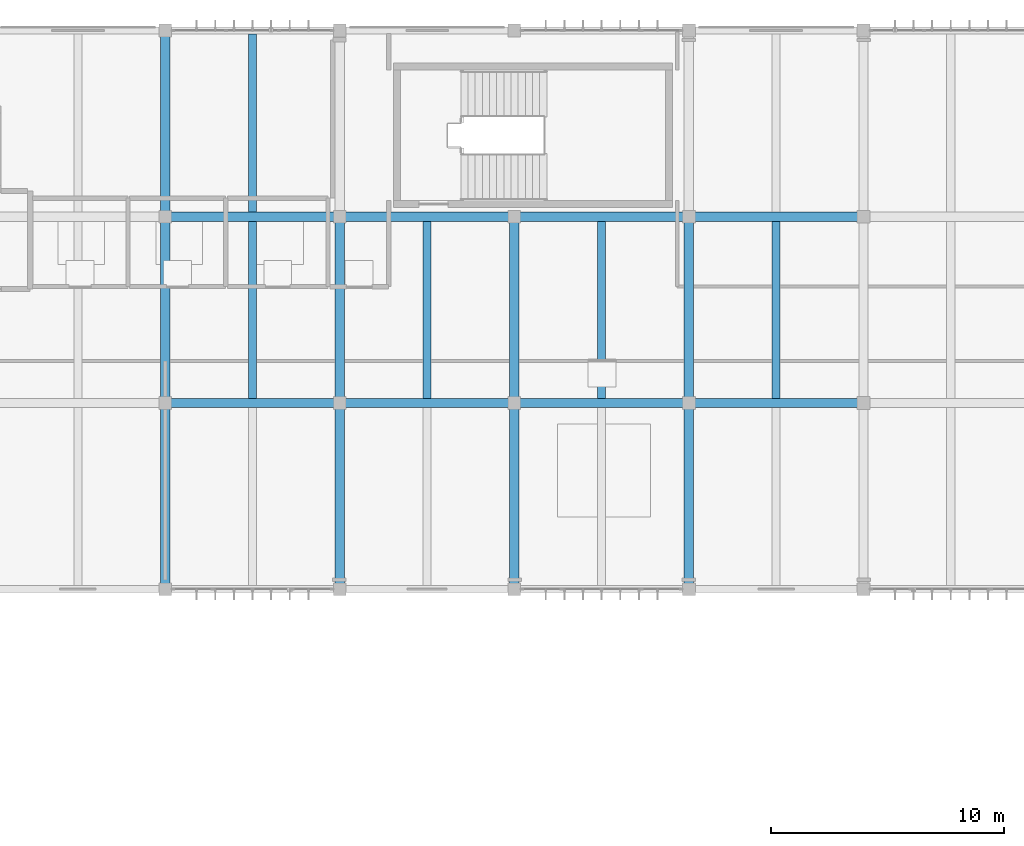
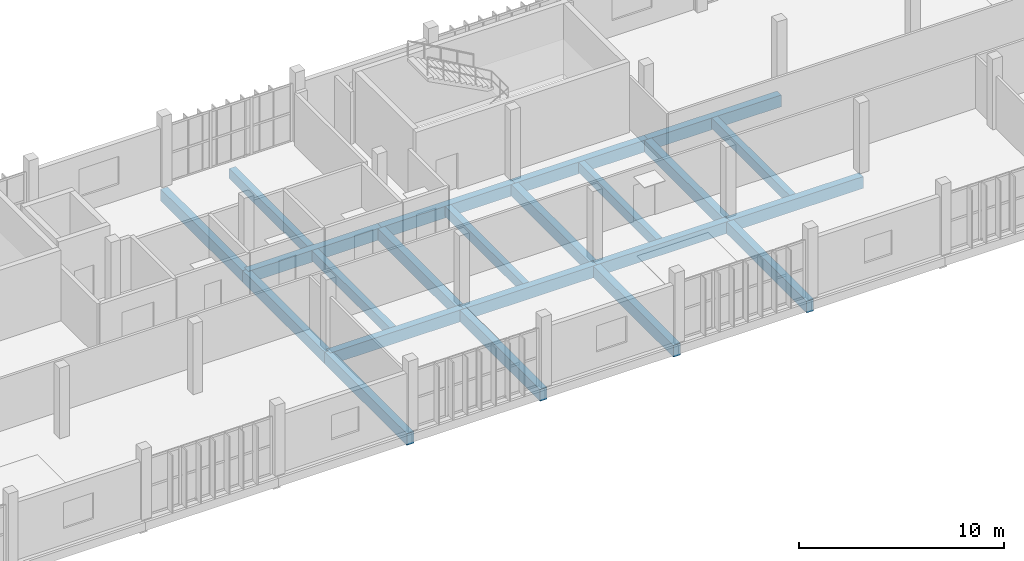
# One storey, part 16 of 61: 22 beams.
"""IFC4 building model written with IfcOpenShell, lengths in metres."""

from ifc_helpers import new_model, si_unit, direction, frame, origin, origin_2d, place, context, subcontext, project, spatial, rectangle, extrude, material, material_profile, profile_set, type_object, element, save


model = new_model("IFC4")

# Units and contexts
model_context = context("Model", 3, precision=1e-05, world=origin(), true_north=direction((0.0, 1.0)))
body_context = subcontext(model_context, "Body", "Model", "MODEL_VIEW")
ifc_project = project(units=[si_unit("LENGTHUNIT", "METRE"), si_unit("AREAUNIT", "SQUARE_METRE"), si_unit("VOLUMEUNIT", "CUBIC_METRE"), si_unit("PLANEANGLEUNIT", "RADIAN"), si_unit("MASSUNIT", "GRAM", prefix="KILO")], contexts=[model_context])

# Site, building, storey
site_placement = place(None, origin())
site = spatial("IfcSite", under=ifc_project, at=site_placement, CompositionType="ELEMENT")
building_placement = place(site_placement, origin())
building = spatial("IfcBuilding", under=site, at=building_placement, Name="Vourika Railside Aquatics Centre", CompositionType="ELEMENT")
storey_placement = place(building_placement, frame((0.0, 0.0, 9.300048828125)))
storey = spatial("IfcBuildingStorey", under=building, at=storey_placement, Name="L02", CompositionType="ELEMENT", Elevation=9.300048828125)

# Beams
ifc_material = material(Name="Concrete C35/45", Category="concrete")
ifc_material_profile_1 = material_profile(ifc_material, rectangle(XDim=0.39990234375, YDim=0.699951171875, at=origin_2d()), Name="RC 400x700")
ifc_profile_set_1 = profile_set([ifc_material_profile_1], Name="Concrete C35/45")
beam_type_1 = type_object("IfcBeamType", Name="BM-GIRD-400x700", PredefinedType="BEAM", material=ifc_profile_set_1)
for number, where, z_axis, x_axis, name in (
    (1, (66.0, 100.0, -0.630126953125), (1.0, 0.0, 0.0), (0.0, 1.0, 0.0), "Floor Beam GX-L02-109"),
    (2, (73.5, 100.0, -0.630126953125), (1.0, 0.0, 0.0), (0.0, 1.0, 0.0), "Floor Beam GX-L02-110"),
    (3, (81.0, 100.0, -0.630126953125), (1.0, 0.0, 0.0), (0.0, 1.0, 0.0), "Floor Beam GX-L02-111"),
    (4, (88.5, 100.0, -0.630126953125), (1.0, 0.0, 0.0), (0.0, 1.0, 0.0), "Floor Beam GX-L02-112"),
    (5, (66.0, 108.0, -0.630126953125), (1.0, 0.0, 0.0), (0.0, 1.0, 0.0), "Floor Beam GX-L02-124"),
    (6, (73.5, 108.0, -0.630126953125), (1.0, 0.0, 0.0), (0.0, 1.0, 0.0), "Floor Beam GX-L02-125"),
    (7, (81.0, 108.0, -0.630126953125), (1.0, 0.0, 0.0), (0.0, 1.0, 0.0), "Floor Beam GX-L02-126"),
    (8, (88.5, 108.0, -0.630126953125), (1.0, 0.0, 0.0), (0.0, 1.0, 0.0), "Floor Beam GX-L02-127"),
):
    element("IfcBeam", number, at=place(storey_placement, frame(where, z_axis=z_axis, x_axis=x_axis)), inside=storey, type_object=beam_type_1, Name=name, PredefinedType="BEAM", context=body_context, shape_type="SweptSolid", body=[
        extrude(rectangle(XDim=0.39990234375, YDim=0.699951171875, at=origin_2d()), origin(), (0.0, 0.0, 1.0), 7.5),
    ])
for number, where, z_axis, x_axis, name in (
    (9, (66.0, 92.0, -0.630126953125), (0.0, 1.0, 0.0), (-1.0, 0.0, 0.0), "Floor Girder GY-L02-199"),
    (10, (66.0, 100.0, -0.630126953125), (0.0, 1.0, 0.0), (-1.0, 0.0, 0.0), "Floor Girder GY-L02-200"),
    (11, (66.0, 108.0, -0.630126953125), (0.0, 1.0, 0.0), (-1.0, 0.0, 0.0), "Floor Girder GY-L02-201"),
    (12, (73.5, 92.0, -0.630126953125), (0.0, 1.0, 0.0), (-1.0, 0.0, 0.0), "Floor Girder GY-L02-205"),
    (13, (73.5, 100.0, -0.630126953125), (0.0, 1.0, 0.0), (-1.0, 0.0, 0.0), "Floor Girder GY-L02-206"),
    (14, (81.0, 92.0, -0.630126953125), (0.0, 1.0, 0.0), (-1.0, 0.0, 0.0), "Floor Girder GY-L02-211"),
    (15, (81.0, 100.0, -0.630126953125), (0.0, 1.0, 0.0), (-1.0, 0.0, 0.0), "Floor Girder GY-L02-212"),
    (16, (88.5, 92.0, -0.630126953125), (0.0, 1.0, 0.0), (-1.0, 0.0, 0.0), "Floor Girder GY-L02-216"),
    (17, (88.5, 100.0, -0.630126953125), (0.0, 1.0, 0.0), (-1.0, 0.0, 0.0), "Floor Girder GY-L02-217"),
):
    element("IfcBeam", number, at=place(storey_placement, frame(where, z_axis=z_axis, x_axis=x_axis)), inside=storey, type_object=beam_type_1, Name=name, PredefinedType="BEAM", context=body_context, shape_type="SweptSolid", body=[
        extrude(rectangle(XDim=0.39990234375, YDim=0.699951171875, at=origin_2d()), origin(), (0.0, 0.0, 1.0), 8.0),
    ])
ifc_material_profile_2 = material_profile(ifc_material, rectangle(XDim=0.35009765625, YDim=0.60009765625, at=origin_2d()), Name="RC 350x600")
ifc_profile_set_2 = profile_set([ifc_material_profile_2], Name="Concrete C35/45")
beam_type_2 = type_object("IfcBeamType", Name="BM-SEC-350x600", PredefinedType="JOIST", material=ifc_profile_set_2)
for number, where, z_axis, x_axis, name in (
    (18, (69.75, 100.199951171875, -0.580078125), (0.0, 1.0, 0.0), (-1.0, 0.0, 0.0), "Secondary Joist JY-L02-355"),
    (19, (77.25, 100.199951171875, -0.580078125), (0.0, 1.0, 0.0), (-1.0, 0.0, 0.0), "Secondary Joist JY-L02-356"),
    (20, (84.75, 100.199951171875, -0.580078125), (0.0, 1.0, 0.0), (-1.0, 0.0, 0.0), "Secondary Joist JY-L02-357"),
    (21, (92.25, 100.199951171875, -0.580078125), (0.0, 1.0, 0.0), (-1.0, 0.0, 0.0), "Secondary Joist JY-L02-358"),
):
    element("IfcBeam", number, at=place(storey_placement, frame(where, z_axis=z_axis, x_axis=x_axis)), inside=storey, type_object=beam_type_2, Name=name, PredefinedType="JOIST", context=body_context, shape_type="SweptSolid", body=[
        extrude(rectangle(XDim=0.35009765625, YDim=0.60009765625, at=origin_2d()), origin(), (0.0, 0.0, 1.0), 7.60009765625),
    ])
beam_placement = place(storey_placement, frame((69.75, 108.199951171875, -0.580078125), z_axis=(0.0, 1.0, 0.0), x_axis=(-1.0, 0.0, 0.0)))
element("IfcBeam", 22, at=beam_placement, inside=storey, type_object=beam_type_2, Name="Secondary Joist JY-L02-366", PredefinedType="JOIST", context=body_context, shape_type="SweptSolid", body=[
    extrude(rectangle(XDim=0.35009765625, YDim=0.60009765625, at=origin_2d()), origin(), (0.0, 0.0, 1.0), 7.650146484375),
])

save(model, "model.ifc")
